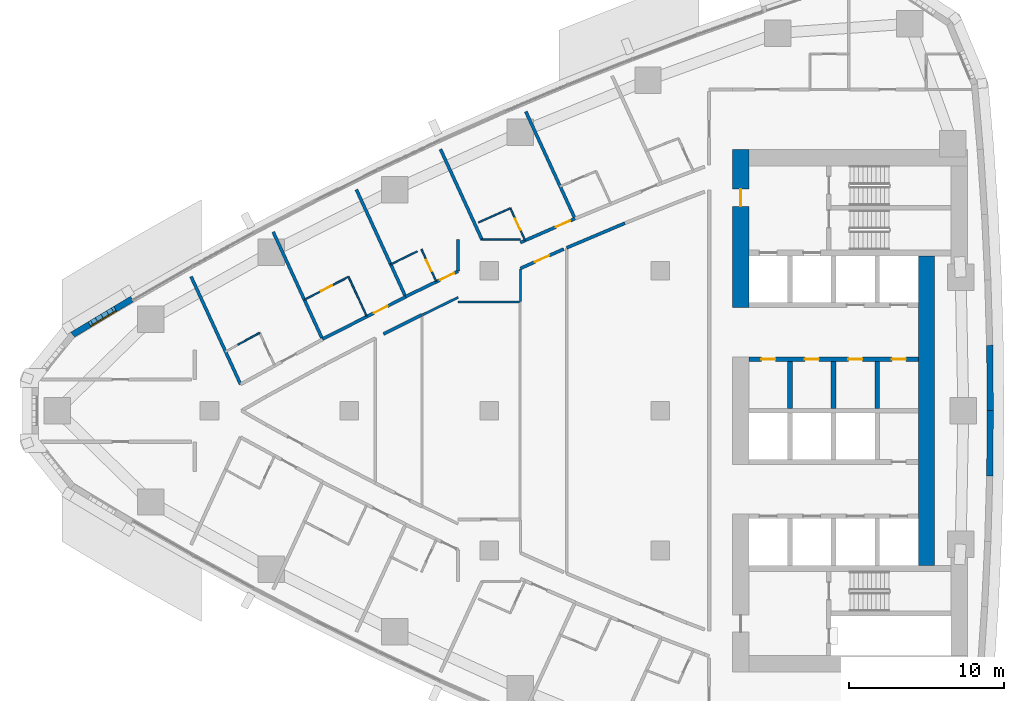
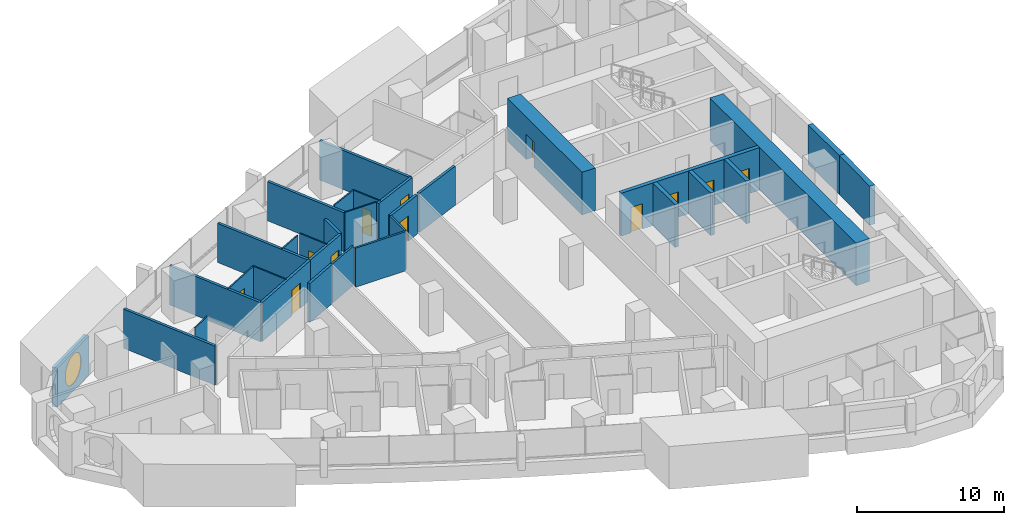
# One storey, part 11 of 17: 32 walls, 12 doors, 1 window, 13 openings.
"""IFC4 building model written with IfcOpenShell, lengths in metres."""

from ifc_helpers import new_model, si_unit, direction, frame, frame_2d, origin, place, context, subcontext, project, spatial, polyline, rectangle, outline, extrude, material, layer, layer_set, type_object, element, fill, save


model = new_model("IFC4")

# Units and contexts
model_context = context("Model", 3, precision=1e-05, world=origin(), true_north=direction((0.0, 1.0)))
body_context = subcontext(model_context, "Body", "Model", "MODEL_VIEW")
ifc_project = project(units=[si_unit("LENGTHUNIT", "METRE"), si_unit("AREAUNIT", "SQUARE_METRE"), si_unit("VOLUMEUNIT", "CUBIC_METRE"), si_unit("PLANEANGLEUNIT", "RADIAN"), si_unit("MASSUNIT", "GRAM", prefix="KILO")], contexts=[model_context])

# Site, building, storey
site_placement = place(None, origin())
site = spatial("IfcSite", under=ifc_project, at=site_placement, CompositionType="ELEMENT")
building_placement = place(site_placement, origin())
building = spatial("IfcBuilding", under=site, at=building_placement, Name="Ostrand Prow Hotel Tower", CompositionType="ELEMENT")
storey_placement = place(building_placement, frame((0.0, 0.0, 102.64990234375)))
storey = spatial("IfcBuildingStorey", under=building, at=storey_placement, Name="L24", CompositionType="ELEMENT", Elevation=102.64990234375)

# Wall, opening, door
ifc_material_1 = material(Name="Concrete C80/95", Category="concrete")
ifc_layer_1 = layer(ifc_material_1, 1.050048828125)
ifc_layer_set_1 = layer_set([ifc_layer_1], Name="Concrete C80/95")
wall_type_1 = type_object("IfcWallType", Name="Core wall 1050 C80/95", PredefinedType="SHEAR", material=ifc_layer_set_1)
wall_1_placement = place(storey_placement, frame((50.175048828125, 6.64990234375, 0.0), z_axis=(0.0, 0.0, 1.0), x_axis=(0.0, 1.0, 0.0)))
wall_1 = element("IfcWall", 1, at=wall_1_placement, inside=storey, type_object=wall_type_1, Name="Core wall CW-W-N", PredefinedType="SHEAR", context=body_context, shape_type="SweptSolid", body=[
    extrude(rectangle(XDim=10.150146484375, YDim=1.050048828125, at=frame_2d((5.0751953125, 0.0))), origin(), (0.0, 0.0, 1.0), 3.550048828125),
])
opening_1_placement = place(wall_1_placement, frame((6.5, 0.0, 0.0)))
opening_1 = element("IfcOpeningElement", 2, at=opening_1_placement, cuts=wall_1, Name="Opening FD1", PredefinedType="OPENING", context=body_context, shape_type="SweptSolid", body=[
    extrude(rectangle(XDim=1.10009765625, YDim=2.10009765625, at=frame_2d((0.550048828125, 1.050048828125))), frame((0.0, 0.534912109375, 0.0), z_axis=(0.0, -1.0, 0.0), x_axis=(1.0, 0.0, 0.0)), (0.0, 0.0, 1.0), 1.070068359375),
])
ifc_material_2 = material(Name="Steel fire door", Category="steel")
door_type_1 = type_object("IfcDoorType", Name="Fire door 1100 EI120", OperationType="SINGLE_SWING_RIGHT", PredefinedType="DOOR", material=ifc_material_2)
door_1_placement = place(opening_1_placement, origin())
door_1 = element("IfcDoor", 3, at=door_1_placement, inside=storey, type_object=door_type_1, Name="FIRE DOOR", OperationType="SINGLE_SWING_RIGHT", OverallHeight=2.10009765625, OverallWidth=1.10009765625, PredefinedType="DOOR", context=body_context, shape_type="SweptSolid", body=[
    extrude(rectangle(XDim=1.10009765625, YDim=2.10009765625, at=frame_2d((0.550048828125, 1.050048828125))), frame((0.0, 0.02490234375, 0.0), z_axis=(0.0, -1.0, 0.0), x_axis=(1.0, 0.0, 0.0)), (0.0, 0.0, 1.0), 0.050048828125),
])
fill(opening_1, door_1)

# Wall
wall_2_placement = place(storey_placement, frame((62.125, -9.949951171875, 0.0), z_axis=(0.0, 0.0, 1.0), x_axis=(0.0, 1.0, 0.0)))
element("IfcWall", 4, at=wall_2_placement, inside=storey, type_object=wall_type_1, Name="Core wall CW-E-C", PredefinedType="SHEAR", context=body_context, shape_type="SweptSolid", body=[
    extrude(rectangle(XDim=19.89990234375, YDim=1.050048828125, at=frame_2d((9.949951171875, 0.0))), origin(), (0.0, 0.0, 1.0), 3.550048828125),
])

# Wall, openings, doors
ifc_material_3 = material(Name="Concrete C80/95", Category="concrete")
ifc_layer_2 = layer(ifc_material_3, 0.300048828125)
ifc_layer_set_2 = layer_set([ifc_layer_2], Name="Concrete C80/95")
wall_type_2 = type_object("IfcWallType", Name="Core wall 300 C80/95", PredefinedType="SHEAR", material=ifc_layer_set_2)
wall_3_placement = place(storey_placement, frame((50.699951171875, 3.300048828125, 0.0), z_axis=(0.0, 0.0, 1.0), x_axis=(1.0, 0.0, 0.0)))
wall_3 = element("IfcWall", 5, at=wall_3_placement, inside=storey, type_object=wall_type_2, Name="Core wall PW-L1-N", PredefinedType="SHEAR", context=body_context, shape_type="SweptSolid", body=[
    extrude(rectangle(XDim=10.900146484375, YDim=0.300048828125, at=frame_2d((5.4501953125, 0.0))), origin(), (0.0, 0.0, 1.0), 3.550048828125),
])
opening_2_placement = place(wall_3_placement, frame((0.800048828125, 0.0, 0.0)))
opening_2 = element("IfcOpeningElement", 6, at=opening_2_placement, cuts=wall_3, Name="Opening FD2", PredefinedType="OPENING", context=body_context, shape_type="SweptSolid", body=[
    extrude(rectangle(XDim=0.89990234375, YDim=2.10009765625, at=frame_2d((0.449951171875, 1.050048828125))), frame((0.0, 0.159912109375, 0.0), z_axis=(0.0, -1.0, 0.0), x_axis=(1.0, 0.0, 0.0)), (0.0, 0.0, 1.0), 0.320068359375),
])
opening_3_placement = place(wall_3_placement, frame((3.60009765625, 0.0, 0.0)))
opening_3 = element("IfcOpeningElement", 7, at=opening_3_placement, cuts=wall_3, Name="Opening FD2", PredefinedType="OPENING", context=body_context, shape_type="SweptSolid", body=[
    extrude(rectangle(XDim=0.89990234375, YDim=2.10009765625, at=frame_2d((0.449951171875, 1.050048828125))), frame((0.0, 0.159912109375, 0.0), z_axis=(0.0, -1.0, 0.0), x_axis=(1.0, 0.0, 0.0)), (0.0, 0.0, 1.0), 0.320068359375),
])
opening_4_placement = place(wall_3_placement, frame((6.39990234375, 0.0, 0.0)))
opening_4 = element("IfcOpeningElement", 8, at=opening_4_placement, cuts=wall_3, Name="Opening FD2", PredefinedType="OPENING", context=body_context, shape_type="SweptSolid", body=[
    extrude(rectangle(XDim=0.89990234375, YDim=2.10009765625, at=frame_2d((0.449951171875, 1.050048828125))), frame((0.0, 0.159912109375, 0.0), z_axis=(0.0, -1.0, 0.0), x_axis=(1.0, 0.0, 0.0)), (0.0, 0.0, 1.0), 0.320068359375),
])
opening_5_placement = place(wall_3_placement, frame((9.199951171875, 0.0, 0.0)))
opening_5 = element("IfcOpeningElement", 9, at=opening_5_placement, cuts=wall_3, Name="Opening FD2", PredefinedType="OPENING", context=body_context, shape_type="SweptSolid", body=[
    extrude(rectangle(XDim=0.89990234375, YDim=2.10009765625, at=frame_2d((0.449951171875, 1.050048828125))), frame((0.0, 0.159912109375, 0.0), z_axis=(0.0, -1.0, 0.0), x_axis=(1.0, 0.0, 0.0)), (0.0, 0.0, 1.0), 0.320068359375),
])
ifc_material_4 = material(Name="Steel fire door", Category="steel")
door_type_2 = type_object("IfcDoorType", Name="Fire door 900 EI120", OperationType="SINGLE_SWING_LEFT", PredefinedType="DOOR", material=ifc_material_4)
door_2_placement = place(opening_2_placement, origin())
door_2 = element("IfcDoor", 10, at=door_2_placement, inside=storey, type_object=door_type_2, Name="DOOR", OperationType="SINGLE_SWING_LEFT", OverallHeight=2.10009765625, OverallWidth=0.89990234375, PredefinedType="DOOR", context=body_context, shape_type="SweptSolid", body=[
    extrude(rectangle(XDim=0.89990234375, YDim=2.10009765625, at=frame_2d((0.449951171875, 1.050048828125))), frame((0.0, 0.02490234375, 0.0), z_axis=(0.0, -1.0, 0.0), x_axis=(1.0, 0.0, 0.0)), (0.0, 0.0, 1.0), 0.050048828125),
])
fill(opening_2, door_2)
door_3_placement = place(opening_3_placement, origin())
door_3 = element("IfcDoor", 11, at=door_3_placement, inside=storey, type_object=door_type_2, Name="DOOR", OperationType="SINGLE_SWING_LEFT", OverallHeight=2.10009765625, OverallWidth=0.89990234375, PredefinedType="DOOR", context=body_context, shape_type="SweptSolid", body=[
    extrude(rectangle(XDim=0.89990234375, YDim=2.10009765625, at=frame_2d((0.449951171875, 1.050048828125))), frame((0.0, 0.02490234375, 0.0), z_axis=(0.0, -1.0, 0.0), x_axis=(1.0, 0.0, 0.0)), (0.0, 0.0, 1.0), 0.050048828125),
])
fill(opening_3, door_3)
door_4_placement = place(opening_4_placement, origin())
door_4 = element("IfcDoor", 12, at=door_4_placement, inside=storey, type_object=door_type_2, Name="DOOR", OperationType="SINGLE_SWING_LEFT", OverallHeight=2.10009765625, OverallWidth=0.89990234375, PredefinedType="DOOR", context=body_context, shape_type="SweptSolid", body=[
    extrude(rectangle(XDim=0.89990234375, YDim=2.10009765625, at=frame_2d((0.449951171875, 1.050048828125))), frame((0.0, 0.02490234375, 0.0), z_axis=(0.0, -1.0, 0.0), x_axis=(1.0, 0.0, 0.0)), (0.0, 0.0, 1.0), 0.050048828125),
])
fill(opening_4, door_4)
door_5_placement = place(opening_5_placement, origin())
door_5 = element("IfcDoor", 13, at=door_5_placement, inside=storey, type_object=door_type_2, Name="DOOR", OperationType="SINGLE_SWING_LEFT", OverallHeight=2.10009765625, OverallWidth=0.89990234375, PredefinedType="DOOR", context=body_context, shape_type="SweptSolid", body=[
    extrude(rectangle(XDim=0.89990234375, YDim=2.10009765625, at=frame_2d((0.449951171875, 1.050048828125))), frame((0.0, 0.02490234375, 0.0), z_axis=(0.0, -1.0, 0.0), x_axis=(1.0, 0.0, 0.0)), (0.0, 0.0, 1.0), 0.050048828125),
])
fill(opening_5, door_5)

# Walls
for number, where, z_axis, x_axis, name in (
    (14, (53.35009765625, 0.14990234375, 0.0), (0.0, 0.0, 1.0), (0.0, 1.0, 0.0), "Core wall PW-R1-NB"),
    (15, (56.14990234375, 0.14990234375, 0.0), (0.0, 0.0, 1.0), (0.0, 1.0, 0.0), "Core wall PW-R2-NB"),
    (16, (58.949951171875, 0.14990234375, 0.0), (0.0, 0.0, 1.0), (0.0, 1.0, 0.0), "Core wall PW-R3-NB"),
):
    element("IfcWall", number, at=place(storey_placement, frame(where, z_axis=z_axis, x_axis=x_axis)), inside=storey, type_object=wall_type_2, Name=name, PredefinedType="SHEAR", context=body_context, shape_type="SweptSolid", body=[
        extrude(rectangle(XDim=3.0, YDim=0.300048828125, at=frame_2d((1.5, 0.0))), origin(), (0.0, 0.0, 1.0), 3.550048828125),
    ])
ifc_material_5 = material(Name="Plasterboard partition")
ifc_layer_3 = layer(ifc_material_5, 0.10009765625)
ifc_layer_set_3 = layer_set([ifc_layer_3], Name="Plasterboard partition")
wall_type_3 = type_object("IfcWallType", Name="Partition 100 bathroom wall", PredefinedType="PARTITIONING", material=ifc_layer_set_3)
wall_4_placement = place(storey_placement, frame((17.80126953125, 4.228515625, 0.0), z_axis=(0.0, 0.0, 1.0), x_axis=(0.877424481957, 0.479714788663, 0.0)))
element("IfcWall", 17, at=wall_4_placement, inside=storey, type_object=wall_type_3, Name="BATHROOM WALL", PredefinedType="PARTITIONING", context=body_context, shape_type="SweptSolid", body=[
    extrude(rectangle(XDim=1.62548828125, YDim=0.10009765625, at=frame_2d((0.812744140625, 0.0))), origin(), (0.0, 0.0, 1.0), 3.25),
])

# Wall, opening, door
wall_5_placement = place(storey_placement, frame((22.10400390625, 7.131591796875, 0.0), z_axis=(0.0, 0.0, 1.0), x_axis=(0.886865947566, 0.46202682936, 0.0)))
wall_5 = element("IfcWall", 18, at=wall_5_placement, inside=storey, type_object=wall_type_3, Name="BATHROOM WALL", PredefinedType="PARTITIONING", context=body_context, shape_type="SweptSolid", body=[
    extrude(rectangle(XDim=3.203857421875, YDim=0.10009765625, at=frame_2d((1.60205078125, 0.0))), origin(), (0.0, 0.0, 1.0), 3.25),
])
opening_6_placement = place(wall_5_placement, frame((1.199951171875, 0.0, 0.0)))
opening_6 = element("IfcOpeningElement", 19, at=opening_6_placement, cuts=wall_5, Name="Opening D2", PredefinedType="OPENING", context=body_context, shape_type="SweptSolid", body=[
    extrude(rectangle(XDim=0.800048828125, YDim=2.10009765625, at=frame_2d((0.39990234375, 1.050048828125))), frame((0.0, 0.06005859375, 0.0), z_axis=(0.0, -1.0, 0.0), x_axis=(1.0, 0.0, 0.0)), (0.0, 0.0, 1.0), 0.1201171875),
])
ifc_material_6 = material(Name="Timber door leaf", Category="wood")
door_type_3 = type_object("IfcDoorType", Name="Bathroom door 800", OperationType="SINGLE_SWING_LEFT", PredefinedType="DOOR", material=ifc_material_6)
door_6_placement = place(opening_6_placement, origin())
door_6 = element("IfcDoor", 20, at=door_6_placement, inside=storey, type_object=door_type_3, Name="DOOR", OperationType="SINGLE_SWING_LEFT", OverallHeight=2.10009765625, OverallWidth=0.800048828125, PredefinedType="DOOR", context=body_context, shape_type="SweptSolid", body=[
    extrude(rectangle(XDim=0.800048828125, YDim=2.10009765625, at=frame_2d((0.39990234375, 1.050048828125))), frame((0.0, 0.02490234375, 0.0), z_axis=(0.0, -1.0, 0.0), x_axis=(1.0, 0.0, 0.0)), (0.0, 0.0, 1.0), 0.050048828125),
])
fill(opening_6, door_6)

# Walls
wall_6_placement = place(storey_placement, frame((24.9453125, 8.61181640625, 0.0), z_axis=(0.0, 0.0, 1.0), x_axis=(0.417431588167, -0.908708352113, 0.0)))
element("IfcWall", 21, at=wall_6_placement, inside=storey, type_object=wall_type_3, Name="BATHROOM WALL", PredefinedType="PARTITIONING", context=body_context, shape_type="SweptSolid", body=[
    extrude(rectangle(XDim=2.780517578125, YDim=0.10009765625, at=frame_2d((1.39013671875, 0.0))), origin(), (0.0, 0.0, 1.0), 3.25),
])
wall_7_placement = place(storey_placement, frame((27.6611328125, 9.407470703125, 0.0), z_axis=(0.0, 0.0, 1.0), x_axis=(0.895982200486, 0.444089964324, 0.0)))
element("IfcWall", 22, at=wall_7_placement, inside=storey, type_object=wall_type_3, Name="BATHROOM WALL", PredefinedType="PARTITIONING", context=body_context, shape_type="SweptSolid", body=[
    extrude(rectangle(XDim=1.90869140625, YDim=0.10009765625, at=frame_2d((0.954345703125, 0.0))), origin(), (0.0, 0.0, 1.0), 3.25),
])

# Wall, opening, door
wall_8_placement = place(storey_placement, frame((29.635498046875, 10.379638671875, 0.0), z_axis=(0.0, 0.0, 1.0), x_axis=(0.417466676952, -0.908692232626, 0.0)))
wall_8 = element("IfcWall", 23, at=wall_8_placement, inside=storey, type_object=wall_type_3, Name="BATHROOM WALL", PredefinedType="PARTITIONING", context=body_context, shape_type="SweptSolid", body=[
    extrude(rectangle(XDim=2.27734375, YDim=0.10009765625, at=frame_2d((1.138671875, 0.0))), origin(), (0.0, 0.0, 1.0), 3.25),
])
opening_7_placement = place(wall_8_placement, frame((0.75, 0.0, 0.0)))
opening_7 = element("IfcOpeningElement", 24, at=opening_7_placement, cuts=wall_8, Name="Opening D2", PredefinedType="OPENING", context=body_context, shape_type="SweptSolid", body=[
    extrude(rectangle(XDim=0.800048828125, YDim=2.10009765625, at=frame_2d((0.39990234375, 1.050048828125))), frame((0.0, 0.06005859375, 0.0), z_axis=(0.0, -1.0, 0.0), x_axis=(1.0, 0.0, 0.0)), (0.0, 0.0, 1.0), 0.1201171875),
])
door_7_placement = place(opening_7_placement, origin())
door_7 = element("IfcDoor", 25, at=door_7_placement, inside=storey, type_object=door_type_3, Name="DOOR", OperationType="SINGLE_SWING_LEFT", OverallHeight=2.10009765625, OverallWidth=0.800048828125, PredefinedType="DOOR", context=body_context, shape_type="SweptSolid", body=[
    extrude(rectangle(XDim=0.800048828125, YDim=2.10009765625, at=frame_2d((0.39990234375, 1.050048828125))), frame((0.0, 0.02490234375, 0.0), z_axis=(0.0, -1.0, 0.0), x_axis=(1.0, 0.0, 0.0)), (0.0, 0.0, 1.0), 0.050048828125),
])
fill(opening_7, door_7)

# Wall
wall_9_placement = place(storey_placement, frame((33.305908203125, 12.1083984375, 0.0), z_axis=(0.0, 0.0, 1.0), x_axis=(0.913060453705, 0.407824236504, 0.0)))
element("IfcWall", 26, at=wall_9_placement, inside=storey, type_object=wall_type_3, Name="BATHROOM WALL", PredefinedType="PARTITIONING", context=body_context, shape_type="SweptSolid", body=[
    extrude(rectangle(XDim=2.2431640625, YDim=0.10009765625, at=frame_2d((1.12158203125, 0.0))), origin(), (0.0, 0.0, 1.0), 3.25),
])

# Wall, opening, door
wall_10_placement = place(storey_placement, frame((35.35400390625, 13.023193359375, 0.0), z_axis=(0.0, 0.0, 1.0), x_axis=(0.41750734959, -0.908673545911, 0.0)))
wall_10 = element("IfcWall", 27, at=wall_10_placement, inside=storey, type_object=wall_type_3, Name="BATHROOM WALL", PredefinedType="PARTITIONING", context=body_context, shape_type="SweptSolid", body=[
    extrude(rectangle(XDim=2.277099609375, YDim=0.10009765625, at=frame_2d((1.138671875, 0.0))), origin(), (0.0, 0.0, 1.0), 3.25),
])
opening_8_placement = place(wall_10_placement, frame((0.75, 0.0, 0.0)))
opening_8 = element("IfcOpeningElement", 28, at=opening_8_placement, cuts=wall_10, Name="Opening D2", PredefinedType="OPENING", context=body_context, shape_type="SweptSolid", body=[
    extrude(rectangle(XDim=0.800048828125, YDim=2.10009765625, at=frame_2d((0.39990234375, 1.050048828125))), frame((0.0, 0.06005859375, 0.0), z_axis=(0.0, -1.0, 0.0), x_axis=(1.0, 0.0, 0.0)), (0.0, 0.0, 1.0), 0.1201171875),
])
door_8_placement = place(opening_8_placement, origin())
door_8 = element("IfcDoor", 29, at=door_8_placement, inside=storey, type_object=door_type_3, Name="DOOR", OperationType="SINGLE_SWING_LEFT", OverallHeight=2.10009765625, OverallWidth=0.800048828125, PredefinedType="DOOR", context=body_context, shape_type="SweptSolid", body=[
    extrude(rectangle(XDim=0.800048828125, YDim=2.10009765625, at=frame_2d((0.39990234375, 1.050048828125))), frame((0.0, 0.02490234375, 0.0), z_axis=(0.0, -1.0, 0.0), x_axis=(1.0, 0.0, 0.0)), (0.0, 0.0, 1.0), 0.050048828125),
])
fill(opening_8, door_8)

# Walls
wall_11_placement = place(storey_placement, frame((36.00048828125, 11.0048828125, 0.0), z_axis=(0.0, 0.0, 1.0), x_axis=(-1.0, 0.0, 0.0)))
element("IfcWall", 30, at=wall_11_placement, inside=storey, type_object=wall_type_3, Name="BATHROOM WALL", PredefinedType="PARTITIONING", context=body_context, shape_type="SweptSolid", body=[
    extrude(rectangle(XDim=2.470458984375, YDim=0.10009765625, at=frame_2d((1.2353515625, 0.0))), origin(), (0.0, 0.0, 1.0), 3.25),
])
ifc_material_7 = material(Name="Plasterboard partition")
ifc_layer_4 = layer(ifc_material_7, 0.14990234375)
ifc_layer_set_4 = layer_set([ifc_layer_4], Name="Plasterboard partition")
wall_type_4 = type_object("IfcWallType", Name="Partition 150 room partition", PredefinedType="PARTITIONING", material=ifc_layer_set_4)
wall_12_placement = place(storey_placement, frame((29.70654296875, 6.161865234375, 0.0), z_axis=(0.0, 0.0, 1.0), x_axis=(0.89773510237, 0.440535680702, 0.0)))
element("IfcWall", 31, at=wall_12_placement, inside=storey, type_object=wall_type_4, Name="ROOM PARTITION", PredefinedType="PARTITIONING", context=body_context, shape_type="SweptSolid", body=[
    extrude(rectangle(XDim=2.54931640625, YDim=0.14990234375, at=frame_2d((1.274658203125, 0.0))), origin(), (0.0, 0.0, 1.0), 3.25),
])
wall_13_placement = place(storey_placement, frame((31.99951171875, 6.9951171875, 0.0), z_axis=(0.0, 0.0, 1.0), x_axis=(1.0, 0.0, 0.0)))
element("IfcWall", 32, at=wall_13_placement, inside=storey, type_object=wall_type_4, Name="ROOM PARTITION", PredefinedType="PARTITIONING", context=body_context, shape_type="SweptSolid", body=[
    extrude(rectangle(XDim=3.935302734375, YDim=0.14990234375, at=frame_2d((1.9677734375, 0.0))), origin(), (0.0, 0.0, 1.0), 3.25),
])
wall_14_placement = place(storey_placement, frame((36.0048828125, 7.026123046875, 0.0), z_axis=(0.0, 0.0, 1.0), x_axis=(0.0, 1.0, 0.0)))
element("IfcWall", 33, at=wall_14_placement, inside=storey, type_object=wall_type_4, Name="ROOM PARTITION", PredefinedType="PARTITIONING", context=body_context, shape_type="SweptSolid", body=[
    extrude(rectangle(XDim=2.083984375, YDim=0.14990234375, at=frame_2d((1.0419921875, 0.0))), origin(), (0.0, 0.0, 1.0), 3.25),
])

# Wall, opening, door
ifc_material_8 = material(Name="Plasterboard partition")
ifc_layer_5 = layer(ifc_material_8, 0.199951171875)
ifc_layer_set_5 = layer_set([ifc_layer_5], Name="Plasterboard partition")
wall_type_5 = type_object("IfcWallType", Name="Partition 200 corridor wall", PredefinedType="PARTITIONING", material=ifc_layer_set_5)
wall_15_placement = place(storey_placement, frame((23.265625, 4.602294921875, 0.0), z_axis=(0.0, 0.0, 1.0), x_axis=(0.892007141151, 0.452021304958, 0.0)))
wall_15 = element("IfcWall", 34, at=wall_15_placement, inside=storey, type_object=wall_type_5, Name="CORRIDOR WALL", PredefinedType="PARTITIONING", context=body_context, shape_type="SweptSolid", body=[
    extrude(rectangle(XDim=6.00439453125, YDim=0.199951171875, at=frame_2d((3.002197265625, 0.0))), origin(), (0.0, 0.0, 1.0), 3.25),
])
opening_9_placement = place(wall_15_placement, frame((3.699951171875, 0.0, 0.0)))
opening_9 = element("IfcOpeningElement", 35, at=opening_9_placement, cuts=wall_15, Name="Opening D1R", PredefinedType="OPENING", context=body_context, shape_type="SweptSolid", body=[
    extrude(rectangle(XDim=1.0, YDim=2.10009765625, at=frame_2d((0.5, 1.050048828125))), frame((0.0, 0.10986328125, 0.0), z_axis=(0.0, -1.0, 0.0), x_axis=(1.0, 0.0, 0.0)), (0.0, 0.0, 1.0), 0.219970703125),
])
ifc_material_9 = material(Name="Timber door leaf", Category="wood")
door_type_4 = type_object("IfcDoorType", Name="Guest room door 1000 right", OperationType="SINGLE_SWING_RIGHT", PredefinedType="DOOR", material=ifc_material_9)
door_9_placement = place(opening_9_placement, origin())
door_9 = element("IfcDoor", 36, at=door_9_placement, inside=storey, type_object=door_type_4, Name="DOOR", OperationType="SINGLE_SWING_RIGHT", OverallHeight=2.10009765625, OverallWidth=1.0, PredefinedType="DOOR", context=body_context, shape_type="SweptSolid", body=[
    extrude(rectangle(XDim=1.0, YDim=2.10009765625, at=frame_2d((0.5, 1.050048828125))), frame((0.0, 0.02490234375, 0.0), z_axis=(0.0, -1.0, 0.0), x_axis=(1.0, 0.0, 0.0)), (0.0, 0.0, 1.0), 0.050048828125),
])
fill(opening_9, door_9)

wall_16_placement = place(storey_placement, frame((32.0, 8.972900390625, 0.0), z_axis=(0.0, 0.0, 1.0), x_axis=(-0.900216696569, -0.435442188147, 0.0)))
wall_16 = element("IfcWall", 37, at=wall_16_placement, inside=storey, type_object=wall_type_5, Name="CORRIDOR WALL", PredefinedType="PARTITIONING", context=body_context, shape_type="SweptSolid", body=[
    extrude(rectangle(XDim=3.76220703125, YDim=0.199951171875, at=frame_2d((1.881103515625, 0.0))), origin(), (0.0, 0.0, 1.0), 3.25),
])
opening_10_placement = place(wall_16_placement, frame((0.300048828125, 0.0, 0.0)))
opening_10 = element("IfcOpeningElement", 38, at=opening_10_placement, cuts=wall_16, Name="Opening D1R", PredefinedType="OPENING", context=body_context, shape_type="SweptSolid", body=[
    extrude(rectangle(XDim=1.0, YDim=2.10009765625, at=frame_2d((0.5, 1.050048828125))), frame((0.0, 0.10986328125, 0.0), z_axis=(0.0, -1.0, 0.0), x_axis=(1.0, 0.0, 0.0)), (0.0, 0.0, 1.0), 0.219970703125),
])
door_10_placement = place(opening_10_placement, origin())
door_10 = element("IfcDoor", 39, at=door_10_placement, inside=storey, type_object=door_type_4, Name="DOOR", OperationType="SINGLE_SWING_RIGHT", OverallHeight=2.10009765625, OverallWidth=1.0, PredefinedType="DOOR", context=body_context, shape_type="SweptSolid", body=[
    extrude(rectangle(XDim=1.0, YDim=2.10009765625, at=frame_2d((0.5, 1.050048828125))), frame((0.0, 0.02490234375, 0.0), z_axis=(0.0, -1.0, 0.0), x_axis=(1.0, 0.0, 0.0)), (0.0, 0.0, 1.0), 0.050048828125),
])
fill(opening_10, door_10)

wall_17_placement = place(storey_placement, frame((39.513916015625, 12.352783203125, 0.0), z_axis=(0.0, 0.0, 1.0), x_axis=(-0.916085742373, -0.400982434305, 0.0)))
wall_17 = element("IfcWall", 40, at=wall_17_placement, inside=storey, type_object=wall_type_5, Name="CORRIDOR WALL", PredefinedType="PARTITIONING", context=body_context, shape_type="SweptSolid", body=[
    extrude(rectangle(XDim=3.835693359375, YDim=0.199951171875, at=frame_2d((1.91796875, 0.0))), origin(), (0.0, 0.0, 1.0), 3.25),
])
opening_11_placement = place(wall_17_placement, frame((0.35009765625, 0.0, 0.0)))
opening_11 = element("IfcOpeningElement", 41, at=opening_11_placement, cuts=wall_17, Name="Opening D1R", PredefinedType="OPENING", context=body_context, shape_type="SweptSolid", body=[
    extrude(rectangle(XDim=1.0, YDim=2.10009765625, at=frame_2d((0.5, 1.050048828125))), frame((0.0, 0.10986328125, 0.0), z_axis=(0.0, -1.0, 0.0), x_axis=(1.0, 0.0, 0.0)), (0.0, 0.0, 1.0), 0.219970703125),
])
door_11_placement = place(opening_11_placement, origin())
door_11 = element("IfcDoor", 42, at=door_11_placement, inside=storey, type_object=door_type_4, Name="DOOR", OperationType="SINGLE_SWING_RIGHT", OverallHeight=2.10009765625, OverallWidth=1.0, PredefinedType="DOOR", context=body_context, shape_type="SweptSolid", body=[
    extrude(rectangle(XDim=1.0, YDim=2.10009765625, at=frame_2d((0.5, 1.050048828125))), frame((0.0, 0.02490234375, 0.0), z_axis=(0.0, -1.0, 0.0), x_axis=(1.0, 0.0, 0.0)), (0.0, 0.0, 1.0), 0.050048828125),
])
fill(opening_11, door_11)

# Wall
wall_18_placement = place(storey_placement, frame((27.1962890625, 4.935791015625, 0.0), z_axis=(0.0, 0.0, 1.0), x_axis=(0.895945057464, 0.444164895062, 0.0)))
element("IfcWall", 43, at=wall_18_placement, inside=storey, type_object=wall_type_5, Name="CORRIDOR WALL", PredefinedType="PARTITIONING", context=body_context, shape_type="SweptSolid", body=[
    extrude(rectangle(XDim=2.757080078125, YDim=0.199951171875, at=frame_2d((1.37841796875, 0.0))), origin(), (0.0, 0.0, 1.0), 3.25),
])

# Wall, opening, door
wall_19_placement = place(storey_placement, frame((36.0, 9.14990234375, 0.0), z_axis=(0.0, 0.0, 1.0), x_axis=(0.913029587861, 0.407893333716, 0.0)))
wall_19 = element("IfcWall", 44, at=wall_19_placement, inside=storey, type_object=wall_type_5, Name="CORRIDOR WALL", PredefinedType="PARTITIONING", context=body_context, shape_type="SweptSolid", body=[
    extrude(rectangle(XDim=3.057861328125, YDim=0.199951171875, at=frame_2d((1.52880859375, 0.0))), origin(), (0.0, 0.0, 1.0), 3.25),
])
opening_12_placement = place(wall_19_placement, frame((1.029052734375, 0.0, 0.0)))
opening_12 = element("IfcOpeningElement", 45, at=opening_12_placement, cuts=wall_19, Name="Opening D1", PredefinedType="OPENING", context=body_context, shape_type="SweptSolid", body=[
    extrude(rectangle(XDim=1.0, YDim=2.10009765625, at=frame_2d((0.5, 1.050048828125))), frame((0.0, 0.10986328125, 0.0), z_axis=(0.0, -1.0, 0.0), x_axis=(1.0, 0.0, 0.0)), (0.0, 0.0, 1.0), 0.219970703125),
])
ifc_material_10 = material(Name="Timber door leaf", Category="wood")
door_type_5 = type_object("IfcDoorType", Name="Guest room door 1000", OperationType="SINGLE_SWING_LEFT", PredefinedType="DOOR", material=ifc_material_10)
door_12_placement = place(opening_12_placement, origin())
door_12 = element("IfcDoor", 46, at=door_12_placement, inside=storey, type_object=door_type_5, Name="DOOR", OperationType="SINGLE_SWING_LEFT", OverallHeight=2.10009765625, OverallWidth=1.0, PredefinedType="DOOR", context=body_context, shape_type="SweptSolid", body=[
    extrude(rectangle(XDim=1.0, YDim=2.10009765625, at=frame_2d((0.5, 1.050048828125))), frame((0.0, 0.02490234375, 0.0), z_axis=(0.0, -1.0, 0.0), x_axis=(1.0, 0.0, 0.0)), (0.0, 0.0, 1.0), 0.050048828125),
])
fill(opening_12, door_12)

# Walls
wall_20_placement = place(storey_placement, frame((38.974609375, 10.474365234375, 0.0), z_axis=(0.0, 0.0, 1.0), x_axis=(0.921030909625, 0.389489490891, 0.0)))
element("IfcWall", 47, at=wall_20_placement, inside=storey, type_object=wall_type_5, Name="CORRIDOR WALL", PredefinedType="PARTITIONING", context=body_context, shape_type="SweptSolid", body=[
    extrude(rectangle(XDim=4.074951171875, YDim=0.199951171875, at=frame_2d((2.03759765625, 0.0))), origin(), (0.0, 0.0, 1.0), 3.25),
])
wall_21_placement = place(storey_placement, frame((31.99658203125, 11.00341796875, 0.0), z_axis=(0.0, 0.0, 1.0), x_axis=(0.001683296882, -0.999998583255, 0.0)))
element("IfcWall", 48, at=wall_21_placement, inside=storey, type_object=wall_type_5, Name="CORRIDOR WALL", PredefinedType="PARTITIONING", context=body_context, shape_type="SweptSolid", body=[
    extrude(rectangle(XDim=2.030517578125, YDim=0.199951171875, at=frame_2d((1.01513671875, 0.0))), origin(), (0.0, 0.0, 1.0), 3.25),
])
ifc_material_11 = material(Name="Plasterboard partition")
ifc_layer_6 = layer(ifc_material_11, 0.199951171875)
ifc_layer_set_6 = layer_set([ifc_layer_6], Name="Plasterboard partition")
wall_type_6 = type_object("IfcWallType", Name="Partition 200 key partition", PredefinedType="PARTITIONING", material=ifc_layer_set_6)
wall_22_placement = place(storey_placement, frame((14.814697265625, 8.625732421875, 0.0), z_axis=(0.0, 0.0, 1.0), x_axis=(0.417432341259, -0.908708006166, 0.0)))
element("IfcWall", 49, at=wall_22_placement, inside=storey, type_object=wall_type_6, Name="KEY PARTITION", PredefinedType="PARTITIONING", context=body_context, shape_type="SweptSolid", body=[
    extrude(rectangle(XDim=7.630615234375, YDim=0.199951171875, at=frame_2d((3.8154296875, 0.0))), origin(), (0.0, 0.0, 1.0), 3.25),
])
wall_23_placement = place(storey_placement, frame((23.274169921875, 4.583984375, 0.0), z_axis=(0.0, 0.0, 1.0), x_axis=(-0.417440028355, 0.908704474913, 0.0)))
element("IfcWall", 50, at=wall_23_placement, inside=storey, type_object=wall_type_6, Name="KEY PARTITION", PredefinedType="PARTITIONING", context=body_context, shape_type="SweptSolid", body=[
    extrude(rectangle(XDim=7.609619140625, YDim=0.199951171875, at=frame_2d((3.8046875, 0.0))), origin(), (0.0, 0.0, 1.0), 3.25),
])
wall_24_placement = place(storey_placement, frame((28.62158203125, 7.31640625, 0.0), z_axis=(0.0, 0.0, 1.0), x_axis=(-0.417428513692, 0.908709764422, 0.0)))
element("IfcWall", 51, at=wall_24_placement, inside=storey, type_object=wall_type_6, Name="KEY PARTITION", PredefinedType="PARTITIONING", context=body_context, shape_type="SweptSolid", body=[
    extrude(rectangle(XDim=7.603271484375, YDim=0.199951171875, at=frame_2d((3.8017578125, 0.0))), origin(), (0.0, 0.0, 1.0), 3.25),
])
wall_25_placement = place(storey_placement, frame((33.532470703125, 11.0, 0.0), z_axis=(0.0, 0.0, 1.0), x_axis=(-0.417441426461, 0.908703832651, 0.0)))
element("IfcWall", 52, at=wall_25_placement, inside=storey, type_object=wall_type_6, Name="KEY PARTITION", PredefinedType="PARTITIONING", context=body_context, shape_type="SweptSolid", body=[
    extrude(rectangle(XDim=6.3994140625, YDim=0.199951171875, at=frame_2d((3.19970703125, 0.0))), origin(), (0.0, 0.0, 1.0), 3.25),
])
wall_26_placement = place(storey_placement, frame((39.522216796875, 12.33447265625, 0.0), z_axis=(0.0, 0.0, 1.0), x_axis=(-0.417442847913, 0.908703179661, 0.0)))
element("IfcWall", 53, at=wall_26_placement, inside=storey, type_object=wall_type_6, Name="KEY PARTITION", PredefinedType="PARTITIONING", context=body_context, shape_type="SweptSolid", body=[
    extrude(rectangle(XDim=7.603515625, YDim=0.199951171875, at=frame_2d((3.8017578125, 0.0))), origin(), (0.0, 0.0, 1.0), 3.25),
])

# Wall, opening, window
ifc_material_12 = material(Name="Precast concrete C40/50", Category="concrete")
ifc_layer_7 = layer(ifc_material_12, 0.39990234375)
ifc_layer_set_7 = layer_set([ifc_layer_7], Name="Precast concrete C40/50")
wall_type_7 = type_object("IfcWallType", Name="Stone-faced precast wall 400 mm", PredefinedType="NOTDEFINED", material=ifc_layer_set_7)
wall_27_placement = place(storey_placement, frame((11.02587890625, 7.18603515625, 0.0), z_axis=(0.0, 0.0, 1.0), x_axis=(-0.857550776474, -0.514399325202, 0.0)))
wall_27 = element("IfcWall", 54, at=wall_27_placement, inside=storey, type_object=wall_type_7, Name="Stone-faced wall prow 1", PredefinedType="NOTDEFINED", context=body_context, shape_type="SweptSolid", body=[
    extrude(outline(polyline([(0.0, -0.199951171875), (4.50341796875, -0.199951171875), (4.4326171875, 0.199951171875), (0.0, 0.199951171875), (0.0, -0.199951171875)])), origin(), (0.0, 0.0, 1.0), 3.25),
])
opening_13_placement = place(wall_27_placement, frame((1.134033203125, 0.0, 0.60009765625)))
opening_13 = element("IfcOpeningElement", 55, at=opening_13_placement, cuts=wall_27, Name="Opening WP1", PredefinedType="OPENING", context=body_context, shape_type="SweptSolid", body=[
    extrude(outline(polyline([(0.0, 1.35009765625), (0.083740234375, 1.77099609375), (0.322265625, 2.127685546875), (0.678955078125, 2.3662109375), (1.10009765625, 2.449951171875), (1.52099609375, 2.3662109375), (1.877685546875, 2.127685546875), (2.1162109375, 1.77099609375), (2.199951171875, 1.35009765625), (2.199951171875, 1.10009765625), (2.1162109375, 0.678955078125), (1.877685546875, 0.322265625), (1.52099609375, 0.083740234375), (1.10009765625, 0.0), (0.678955078125, 0.083740234375), (0.322265625, 0.322265625), (0.083740234375, 0.678955078125), (0.0, 1.099853515625), (0.0, 1.35009765625)])), frame((0.0, 0.2099609375, 0.0), z_axis=(0.0, -1.0, 0.0), x_axis=(1.0, 0.0, 0.0)), (0.0, 0.0, 1.0), 0.419921875),
])
ifc_material_13 = material(Name="Insulated glass in bronze frame", Category="glass")
window_type = type_object("IfcWindowType", Name="Round-ended prow window 2200x2450", PartitioningType="SINGLE_PANEL", PredefinedType="WINDOW", material=ifc_material_13)
window_placement = place(opening_13_placement, origin())
window = element("IfcWindow", 56, at=window_placement, inside=storey, type_object=window_type, Name="Window prow 1.1", OverallHeight=2.449951171875, OverallWidth=2.199951171875, PartitioningType="SINGLE_PANEL", PredefinedType="WINDOW", context=body_context, shape_type="SweptSolid", body=[
    extrude(outline(polyline([(0.0, 1.35009765625), (0.083740234375, 1.77099609375), (0.322265625, 2.127685546875), (0.678955078125, 2.3662109375), (1.10009765625, 2.449951171875), (1.52099609375, 2.3662109375), (1.877685546875, 2.127685546875), (2.1162109375, 1.77099609375), (2.199951171875, 1.35009765625), (2.199951171875, 1.10009765625), (2.1162109375, 0.678955078125), (1.877685546875, 0.322265625), (1.52099609375, 0.083740234375), (1.10009765625, 0.0), (0.678955078125, 0.083740234375), (0.322265625, 0.322265625), (0.083740234375, 0.678955078125), (0.0, 1.099853515625), (0.0, 1.35009765625)])), frame((0.0, 0.169921875, 0.0), z_axis=(0.0, -1.0, 0.0), x_axis=(1.0, 0.0, 0.0)), (0.0, 0.0, 1.0), 0.06005859375),
])
fill(opening_13, window)

# Walls
for number, where, z_axis, x_axis, name in (
    (57, (66.193603515625, -4.20654296875, 0.0), (0.0, 0.0, 1.0), (0.00969194175, 0.99995303203, 0.0), "Stone-faced wall back 9"),
    (58, (66.234375, 0.0, 0.0), (0.0, 0.0, 1.0), (-0.00969194175, 0.99995303203, 0.0), "Stone-faced wall back 10"),
):
    element("IfcWall", number, at=place(storey_placement, frame(where, z_axis=z_axis, x_axis=x_axis)), inside=storey, type_object=wall_type_7, Name=name, PredefinedType="NOTDEFINED", context=body_context, shape_type="SweptSolid", body=[
        extrude(outline(polyline([(-0.001953125, -0.199951171875), (4.208740234375, -0.199951171875), (4.204833984375, 0.199951171875), (0.001953125, 0.199951171875), (-0.001953125, -0.199951171875)])), origin(), (0.0, 0.0, 1.0), 3.25),
    ])

save(model, "model.ifc")
